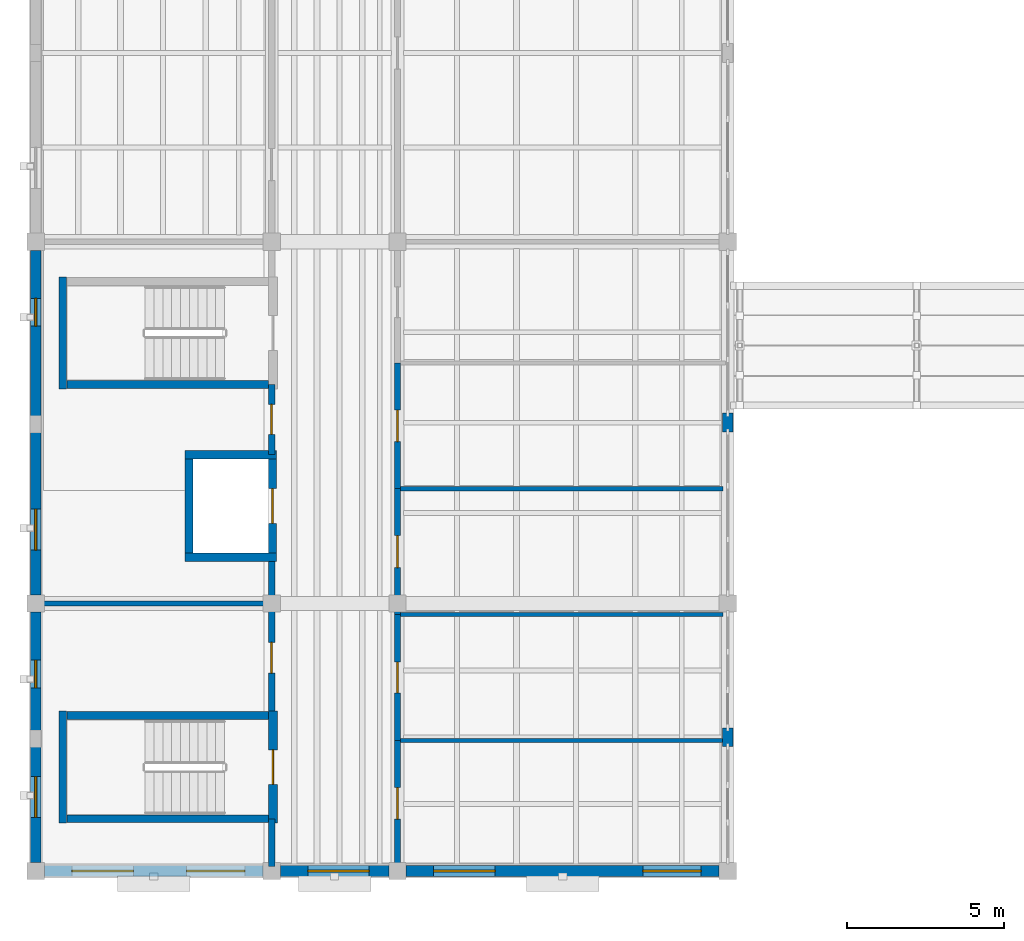
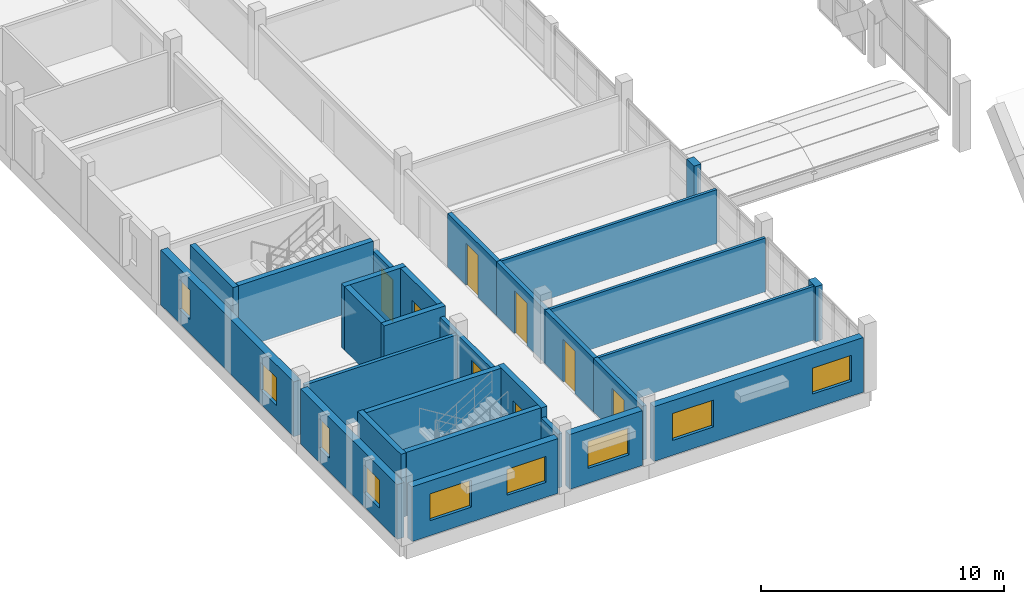
# One storey, part 34 of 48: 28 walls, 9 windows, 8 doors, 17 openings.
"""IFC4 building model written with IfcOpenShell, lengths in metres."""

from ifc_helpers import new_model, si_unit, direction, frame, frame_2d, origin, place, context, subcontext, project, spatial, rectangle, extrude, material, layer, layer_set, type_object, element, fill, save


model = new_model("IFC4")

# Units and contexts
model_context = context("Model", 3, precision=1e-05, world=origin(), true_north=direction((0.0, 1.0)))
body_context = subcontext(model_context, "Body", "Model", "MODEL_VIEW")
ifc_project = project(units=[si_unit("LENGTHUNIT", "METRE"), si_unit("AREAUNIT", "SQUARE_METRE"), si_unit("VOLUMEUNIT", "CUBIC_METRE"), si_unit("PLANEANGLEUNIT", "RADIAN"), si_unit("MASSUNIT", "GRAM", prefix="KILO")], contexts=[model_context])

# Site, building, storey
site_placement = place(None, origin())
site = spatial("IfcSite", under=ifc_project, at=site_placement, CompositionType="ELEMENT")
building_placement = place(site_placement, origin())
building = spatial("IfcBuilding", under=site, at=building_placement, Name="Trellovar Central Fire Station", CompositionType="ELEMENT")
storey_placement = place(building_placement, frame((0.0, 0.0, 9.300048828125)))
storey = spatial("IfcBuildingStorey", under=building, at=storey_placement, Name="L03", CompositionType="ELEMENT", Elevation=9.300048828125)

# Wall, openings, windows
ifc_material_1 = material(Name="Textured desert sandstone masonry", Category="masonry")
ifc_layer_1 = layer(ifc_material_1, 0.340087890625)
ifc_layer_set_1 = layer_set([ifc_layer_1], Name="Textured desert sandstone masonry")
wall_type_1 = type_object("IfcWallType", Name="EW-3", PredefinedType="STANDARD", material=ifc_layer_set_1)
wall_1_placement = place(storey_placement, frame((1.27490234375, 9.0, 0.0), z_axis=(0.0, 0.0, 1.0), x_axis=(1.0, 0.0, 0.0)))
wall_1 = element("IfcWall", 1, at=wall_1_placement, inside=storey, type_object=wall_type_1, Name="V4 L03 south wall 1", PredefinedType="STANDARD", context=body_context, shape_type="SweptSolid", body=[
    extrude(rectangle(XDim=6.9501953125, YDim=0.340087890625, at=frame_2d((3.47509765625, 0.0))), origin(), (0.0, 0.0, 1.0), 2.75),
])
opening_1_placement = place(wall_1_placement, frame((0.875, 0.0, 0.75)))
opening_1 = element("IfcOpeningElement", 2, at=opening_1_placement, cuts=wall_1, Name="Opening W-04", PredefinedType="OPENING", context=body_context, shape_type="SweptSolid", body=[
    extrude(rectangle(XDim=1.949951171875, YDim=1.35009765625, at=frame_2d((0.97509765625, 0.675048828125))), frame((0.0, 0.179931640625, 0.0), z_axis=(0.0, -1.0, 0.0), x_axis=(1.0, 0.0, 0.0)), (0.0, 0.0, 1.0), 0.360107421875),
])
opening_2_placement = place(wall_1_placement, frame((4.52490234375, 0.0, 0.75)))
opening_2 = element("IfcOpeningElement", 3, at=opening_2_placement, cuts=wall_1, Name="Opening W-13", PredefinedType="OPENING", context=body_context, shape_type="SweptSolid", body=[
    extrude(rectangle(XDim=1.85009765625, YDim=1.300048828125, at=frame_2d((0.925048828125, 0.64990234375))), frame((0.0, 0.179931640625, 0.0), z_axis=(0.0, -1.0, 0.0), x_axis=(1.0, 0.0, 0.0)), (0.0, 0.0, 1.0), 0.360107421875),
])
ifc_material_2 = material(Name="Thermally broken bronze anodized aluminum", Category="aluminium")
window_type_1 = type_object("IfcWindowType", Name="WIN-04", PartitioningType="DOUBLE_PANEL_HORIZONTAL", PredefinedType="WINDOW", material=ifc_material_2)
window_1_placement = place(opening_1_placement, origin())
window_1 = element("IfcWindow", 4, at=window_1_placement, inside=storey, type_object=window_type_1, Name="L03 window W-04", OverallHeight=1.35009765625, OverallWidth=1.949951171875, PartitioningType="DOUBLE_PANEL_HORIZONTAL", PredefinedType="WINDOW", context=body_context, shape_type="SweptSolid", body=[
    extrude(rectangle(XDim=1.949951171875, YDim=1.35009765625, at=frame_2d((0.97509765625, 0.675048828125))), frame((0.0, 0.030029296875, 0.0), z_axis=(0.0, -1.0, 0.0), x_axis=(1.0, 0.0, 0.0)), (0.0, 0.0, 1.0), 0.06005859375),
])
fill(opening_1, window_1)
ifc_material_3 = material(Name="Thermally broken bronze anodized aluminum", Category="aluminium")
window_type_2 = type_object("IfcWindowType", Name="WIN-13", PartitioningType="DOUBLE_PANEL_HORIZONTAL", PredefinedType="WINDOW", material=ifc_material_3)
window_2_placement = place(opening_2_placement, origin())
window_2 = element("IfcWindow", 5, at=window_2_placement, inside=storey, type_object=window_type_2, Name="L03 window W-13", OverallHeight=1.300048828125, OverallWidth=1.85009765625, PartitioningType="DOUBLE_PANEL_HORIZONTAL", PredefinedType="WINDOW", context=body_context, shape_type="SweptSolid", body=[
    extrude(rectangle(XDim=1.85009765625, YDim=1.300048828125, at=frame_2d((0.925048828125, 0.64990234375))), frame((0.0, 0.030029296875, 0.0), z_axis=(0.0, -1.0, 0.0), x_axis=(1.0, 0.0, 0.0)), (0.0, 0.0, 1.0), 0.06005859375),
])
fill(opening_2, window_2)

# Wall, opening, window
wall_2_placement = place(storey_placement, frame((8.77490234375, 9.0, 0.0), z_axis=(0.0, 0.0, 1.0), x_axis=(1.0, 0.0, 0.0)))
wall_2 = element("IfcWall", 6, at=wall_2_placement, inside=storey, type_object=wall_type_1, Name="V4 L03 south wall 2", PredefinedType="STANDARD", context=body_context, shape_type="SweptSolid", body=[
    extrude(rectangle(XDim=3.4501953125, YDim=0.340087890625, at=frame_2d((1.72509765625, 0.0))), origin(), (0.0, 0.0, 1.0), 2.75),
])
opening_3_placement = place(wall_2_placement, frame((0.875, 0.0, 0.75)))
opening_3 = element("IfcOpeningElement", 7, at=opening_3_placement, cuts=wall_2, Name="Opening W-04", PredefinedType="OPENING", context=body_context, shape_type="SweptSolid", body=[
    extrude(rectangle(XDim=1.949951171875, YDim=1.35009765625, at=frame_2d((0.97509765625, 0.675048828125))), frame((0.0, 0.179931640625, 0.0), z_axis=(0.0, -1.0, 0.0), x_axis=(1.0, 0.0, 0.0)), (0.0, 0.0, 1.0), 0.360107421875),
])
window_3_placement = place(opening_3_placement, origin())
window_3 = element("IfcWindow", 8, at=window_3_placement, inside=storey, type_object=window_type_1, Name="L03 window W-04", OverallHeight=1.35009765625, OverallWidth=1.949951171875, PartitioningType="DOUBLE_PANEL_HORIZONTAL", PredefinedType="WINDOW", context=body_context, shape_type="SweptSolid", body=[
    extrude(rectangle(XDim=1.949951171875, YDim=1.35009765625, at=frame_2d((0.97509765625, 0.675048828125))), frame((0.0, 0.030029296875, 0.0), z_axis=(0.0, -1.0, 0.0), x_axis=(1.0, 0.0, 0.0)), (0.0, 0.0, 1.0), 0.06005859375),
])
fill(opening_3, window_3)

# Wall, openings, windows
wall_3_placement = place(storey_placement, frame((12.77490234375, 9.0, 0.0), z_axis=(0.0, 0.0, 1.0), x_axis=(1.0, 0.0, 0.0)))
wall_3 = element("IfcWall", 9, at=wall_3_placement, inside=storey, type_object=wall_type_1, Name="V4 L03 south wall 3", PredefinedType="STANDARD", context=body_context, shape_type="SweptSolid", body=[
    extrude(rectangle(XDim=9.9501953125, YDim=0.340087890625, at=frame_2d((4.97509765625, 0.0))), origin(), (0.0, 0.0, 1.0), 2.75),
])
opening_4_placement = place(wall_3_placement, frame((0.875, 0.0, 0.75)))
opening_4 = element("IfcOpeningElement", 10, at=opening_4_placement, cuts=wall_3, Name="Opening W-04", PredefinedType="OPENING", context=body_context, shape_type="SweptSolid", body=[
    extrude(rectangle(XDim=1.949951171875, YDim=1.35009765625, at=frame_2d((0.97509765625, 0.675048828125))), frame((0.0, 0.179931640625, 0.0), z_axis=(0.0, -1.0, 0.0), x_axis=(1.0, 0.0, 0.0)), (0.0, 0.0, 1.0), 0.360107421875),
])
opening_5_placement = place(wall_3_placement, frame((7.52490234375, 0.0, 0.75)))
opening_5 = element("IfcOpeningElement", 11, at=opening_5_placement, cuts=wall_3, Name="Opening W-13", PredefinedType="OPENING", context=body_context, shape_type="SweptSolid", body=[
    extrude(rectangle(XDim=1.85009765625, YDim=1.300048828125, at=frame_2d((0.925048828125, 0.64990234375))), frame((0.0, 0.179931640625, 0.0), z_axis=(0.0, -1.0, 0.0), x_axis=(1.0, 0.0, 0.0)), (0.0, 0.0, 1.0), 0.360107421875),
])
window_4_placement = place(opening_4_placement, origin())
window_4 = element("IfcWindow", 12, at=window_4_placement, inside=storey, type_object=window_type_1, Name="L03 window W-04", OverallHeight=1.35009765625, OverallWidth=1.949951171875, PartitioningType="DOUBLE_PANEL_HORIZONTAL", PredefinedType="WINDOW", context=body_context, shape_type="SweptSolid", body=[
    extrude(rectangle(XDim=1.949951171875, YDim=1.35009765625, at=frame_2d((0.97509765625, 0.675048828125))), frame((0.0, 0.030029296875, 0.0), z_axis=(0.0, -1.0, 0.0), x_axis=(1.0, 0.0, 0.0)), (0.0, 0.0, 1.0), 0.06005859375),
])
fill(opening_4, window_4)
window_5_placement = place(opening_5_placement, origin())
window_5 = element("IfcWindow", 13, at=window_5_placement, inside=storey, type_object=window_type_2, Name="L03 window W-13", OverallHeight=1.300048828125, OverallWidth=1.85009765625, PartitioningType="DOUBLE_PANEL_HORIZONTAL", PredefinedType="WINDOW", context=body_context, shape_type="SweptSolid", body=[
    extrude(rectangle(XDim=1.85009765625, YDim=1.300048828125, at=frame_2d((0.925048828125, 0.64990234375))), frame((0.0, 0.030029296875, 0.0), z_axis=(0.0, -1.0, 0.0), x_axis=(1.0, 0.0, 0.0)), (0.0, 0.0, 1.0), 0.06005859375),
])
fill(opening_5, window_5)

wall_4_placement = place(storey_placement, frame((1.0, 17.22509765625, 0.0), z_axis=(0.0, 0.0, 1.0), x_axis=(0.0, -1.0, 0.0)))
wall_4 = element("IfcWall", 14, at=wall_4_placement, inside=storey, type_object=wall_type_1, Name="V4 L03 west wall", PredefinedType="STANDARD", context=body_context, shape_type="SweptSolid", body=[
    extrude(rectangle(XDim=7.9501953125, YDim=0.340087890625, at=frame_2d((3.97509765625, 0.0))), origin(), (0.0, 0.0, 1.0), 2.75),
])
opening_6_placement = place(wall_4_placement, frame((1.52490234375, 0.0, 0.699951171875)))
opening_6 = element("IfcOpeningElement", 15, at=opening_6_placement, cuts=wall_4, Name="Opening W-07", PredefinedType="OPENING", context=body_context, shape_type="SweptSolid", body=[
    extrude(rectangle(XDim=0.8798828125, YDim=1.5, at=frame_2d((0.43994140625, 0.75))), frame((0.0, 0.179931640625, 0.0), z_axis=(0.0, -1.0, 0.0), x_axis=(1.0, 0.0, 0.0)), (0.0, 0.0, 1.0), 0.360107421875),
])
opening_7_placement = place(wall_4_placement, frame((5.22509765625, 0.0, 0.699951171875)))
opening_7 = element("IfcOpeningElement", 16, at=opening_7_placement, cuts=wall_4, Name="Opening W-09", PredefinedType="OPENING", context=body_context, shape_type="SweptSolid", body=[
    extrude(rectangle(XDim=1.300048828125, YDim=1.39990234375, at=frame_2d((0.64990234375, 0.699951171875))), frame((0.0, 0.179931640625, 0.0), z_axis=(0.0, -1.0, 0.0), x_axis=(1.0, 0.0, 0.0)), (0.0, 0.0, 1.0), 0.360107421875),
])
ifc_material_4 = material(Name="Thermally broken bronze anodized aluminum", Category="aluminium")
window_type_3 = type_object("IfcWindowType", Name="WIN-07", PartitioningType="SINGLE_PANEL", PredefinedType="WINDOW", material=ifc_material_4)
window_6_placement = place(opening_6_placement, origin())
window_6 = element("IfcWindow", 17, at=window_6_placement, inside=storey, type_object=window_type_3, Name="L03 window W-07", OverallHeight=1.5, OverallWidth=0.8798828125, PartitioningType="SINGLE_PANEL", PredefinedType="WINDOW", context=body_context, shape_type="SweptSolid", body=[
    extrude(rectangle(XDim=0.8798828125, YDim=1.5, at=frame_2d((0.43994140625, 0.75))), frame((0.0, 0.030029296875, 0.0), z_axis=(0.0, -1.0, 0.0), x_axis=(1.0, 0.0, 0.0)), (0.0, 0.0, 1.0), 0.06005859375),
])
fill(opening_6, window_6)
ifc_material_5 = material(Name="Thermally broken bronze anodized aluminum", Category="aluminium")
window_type_4 = type_object("IfcWindowType", Name="WIN-09", PartitioningType="SINGLE_PANEL", PredefinedType="WINDOW", material=ifc_material_5)
window_7_placement = place(opening_7_placement, origin())
window_7 = element("IfcWindow", 18, at=window_7_placement, inside=storey, type_object=window_type_4, Name="L03 window W-09", OverallHeight=1.39990234375, OverallWidth=1.300048828125, PartitioningType="SINGLE_PANEL", PredefinedType="WINDOW", context=body_context, shape_type="SweptSolid", body=[
    extrude(rectangle(XDim=1.300048828125, YDim=1.39990234375, at=frame_2d((0.64990234375, 0.699951171875))), frame((0.0, 0.030029296875, 0.0), z_axis=(0.0, -1.0, 0.0), x_axis=(1.0, 0.0, 0.0)), (0.0, 0.0, 1.0), 0.06005859375),
])
fill(opening_7, window_7)

wall_5_placement = place(storey_placement, frame((1.0, 28.72509765625, 0.0), z_axis=(0.0, 0.0, 1.0), x_axis=(0.0, -1.0, 0.0)))
wall_5 = element("IfcWall", 19, at=wall_5_placement, inside=storey, type_object=wall_type_1, Name="V4 L03 west wall", PredefinedType="STANDARD", context=body_context, shape_type="SweptSolid", body=[
    extrude(rectangle(XDim=10.9501953125, YDim=0.340087890625, at=frame_2d((5.47509765625, 0.0))), origin(), (0.0, 0.0, 1.0), 2.75),
])
opening_8_placement = place(wall_5_placement, frame((1.52490234375, 0.0, 0.699951171875)))
opening_8 = element("IfcOpeningElement", 20, at=opening_8_placement, cuts=wall_5, Name="Opening W-07", PredefinedType="OPENING", context=body_context, shape_type="SweptSolid", body=[
    extrude(rectangle(XDim=0.8798828125, YDim=1.5, at=frame_2d((0.43994140625, 0.75))), frame((0.0, 0.179931640625, 0.0), z_axis=(0.0, -1.0, 0.0), x_axis=(1.0, 0.0, 0.0)), (0.0, 0.0, 1.0), 0.360107421875),
])
opening_9_placement = place(wall_5_placement, frame((8.22509765625, 0.0, 0.699951171875)))
opening_9 = element("IfcOpeningElement", 21, at=opening_9_placement, cuts=wall_5, Name="Opening W-09", PredefinedType="OPENING", context=body_context, shape_type="SweptSolid", body=[
    extrude(rectangle(XDim=1.300048828125, YDim=1.39990234375, at=frame_2d((0.64990234375, 0.699951171875))), frame((0.0, 0.179931640625, 0.0), z_axis=(0.0, -1.0, 0.0), x_axis=(1.0, 0.0, 0.0)), (0.0, 0.0, 1.0), 0.360107421875),
])
window_8_placement = place(opening_8_placement, origin())
window_8 = element("IfcWindow", 22, at=window_8_placement, inside=storey, type_object=window_type_3, Name="L03 window W-07", OverallHeight=1.5, OverallWidth=0.8798828125, PartitioningType="SINGLE_PANEL", PredefinedType="WINDOW", context=body_context, shape_type="SweptSolid", body=[
    extrude(rectangle(XDim=0.8798828125, YDim=1.5, at=frame_2d((0.43994140625, 0.75))), frame((0.0, 0.030029296875, 0.0), z_axis=(0.0, -1.0, 0.0), x_axis=(1.0, 0.0, 0.0)), (0.0, 0.0, 1.0), 0.06005859375),
])
fill(opening_8, window_8)
window_9_placement = place(opening_9_placement, origin())
window_9 = element("IfcWindow", 23, at=window_9_placement, inside=storey, type_object=window_type_4, Name="L03 window W-09", OverallHeight=1.39990234375, OverallWidth=1.300048828125, PartitioningType="SINGLE_PANEL", PredefinedType="WINDOW", context=body_context, shape_type="SweptSolid", body=[
    extrude(rectangle(XDim=1.300048828125, YDim=1.39990234375, at=frame_2d((0.64990234375, 0.699951171875))), frame((0.0, 0.030029296875, 0.0), z_axis=(0.0, -1.0, 0.0), x_axis=(1.0, 0.0, 0.0)), (0.0, 0.0, 1.0), 0.06005859375),
])
fill(opening_9, window_9)

# Walls
for number, where, z_axis, x_axis, name in (
    (24, (23.0, 12.949951171875, 0.0), (0.0, 0.0, 1.0), (0.0, 1.0, 0.0), "V4 L03 courtyard mullion pier"),
    (25, (23.0, 22.949951171875, 0.0), (0.0, 0.0, 1.0), (0.0, 1.0, 0.0), "V4 L03 courtyard mullion pier"),
):
    element("IfcWall", number, at=place(storey_placement, frame(where, z_axis=z_axis, x_axis=x_axis)), inside=storey, type_object=wall_type_1, Name=name, PredefinedType="STANDARD", context=body_context, shape_type="SweptSolid", body=[
        extrude(rectangle(XDim=0.60009765625, YDim=0.340087890625, at=frame_2d((0.300048828125, 0.0))), origin(), (0.0, 0.0, 1.0), 2.75),
    ])
ifc_material_6 = material(Name="Acoustic concrete masonry unit", Category="masonry")
ifc_layer_2 = layer(ifc_material_6, 0.199951171875)
ifc_layer_set_2 = layer_set([ifc_layer_2], Name="Acoustic concrete masonry unit")
wall_type_2 = type_object("IfcWallType", Name="PT-1", PredefinedType="PARTITIONING", material=ifc_layer_set_2)
wall_6_placement = place(storey_placement, frame((8.5, 9.14990234375, 0.0), z_axis=(0.0, 0.0, 1.0), x_axis=(0.0, 1.0, 0.0)))
element("IfcWall", 26, at=wall_6_placement, inside=storey, type_object=wall_type_2, Name="V4 L03 west corridor spine 1", PredefinedType="PARTITIONING", context=body_context, shape_type="SweptSolid", body=[
    extrude(rectangle(XDim=1.510009765625, YDim=0.199951171875, at=frame_2d((0.7548828125, 0.0))), origin(), (0.0, 0.0, 1.0), 2.699951171875),
])

# Wall, opening, door
wall_7_placement = place(storey_placement, frame((8.5, 13.93994140625, 0.0), z_axis=(0.0, 0.0, 1.0), x_axis=(0.0, 1.0, 0.0)))
wall_7 = element("IfcWall", 27, at=wall_7_placement, inside=storey, type_object=wall_type_2, Name="V4 L03 west corridor spine 2", PredefinedType="PARTITIONING", context=body_context, shape_type="SweptSolid", body=[
    extrude(rectangle(XDim=5.030029296875, YDim=0.199951171875, at=frame_2d((2.51513671875, 0.0))), origin(), (0.0, 0.0, 1.0), 2.699951171875),
])
opening_10_placement = place(wall_7_placement, frame((1.35009765625, 0.0, 0.0)))
opening_10 = element("IfcOpeningElement", 28, at=opening_10_placement, cuts=wall_7, Name="Opening ID-7", PredefinedType="OPENING", context=body_context, shape_type="SweptSolid", body=[
    extrude(rectangle(XDim=0.97998046875, YDim=2.1201171875, at=frame_2d((0.489990234375, 1.06005859375))), frame((0.0, 0.10986328125, 0.0), z_axis=(0.0, -1.0, 0.0), x_axis=(1.0, 0.0, 0.0)), (0.0, 0.0, 1.0), 0.219970703125),
])
ifc_material_7 = material(Name="Solid core acoustic white oak veneer", Category="wood")
door_type_1 = type_object("IfcDoorType", Name="DR-INT7", OperationType="SINGLE_SWING_LEFT", PredefinedType="DOOR", material=ifc_material_7)
door_1_placement = place(opening_10_placement, origin())
door_1 = element("IfcDoor", 29, at=door_1_placement, inside=storey, type_object=door_type_1, Name="V4 L03 SW room door", OperationType="SINGLE_SWING_RIGHT", OverallHeight=2.1201171875, OverallWidth=0.97998046875, PredefinedType="DOOR", context=body_context, shape_type="SweptSolid", body=[
    extrude(rectangle(XDim=0.97998046875, YDim=2.1201171875, at=frame_2d((0.489990234375, 1.06005859375))), frame((0.0, 0.02490234375, 0.0), z_axis=(0.0, -1.0, 0.0), x_axis=(1.0, 0.0, 0.0)), (0.0, 0.0, 1.0), 0.050048828125),
])
fill(opening_10, door_1)

wall_8_placement = place(storey_placement, frame((8.5, 22.22998046875, 0.0), z_axis=(0.0, 0.0, 1.0), x_axis=(0.0, 1.0, 0.0)))
wall_8 = element("IfcWall", 30, at=wall_8_placement, inside=storey, type_object=wall_type_2, Name="V4 L03 west corridor spine 3", PredefinedType="PARTITIONING", context=body_context, shape_type="SweptSolid", body=[
    extrude(rectangle(XDim=2.22998046875, YDim=0.199951171875, at=frame_2d((1.114990234375, 0.0))), origin(), (0.0, 0.0, 1.0), 2.699951171875),
])
opening_11_placement = place(wall_8_placement, frame((0.64990234375, 0.0, 0.0)))
opening_11 = element("IfcOpeningElement", 31, at=opening_11_placement, cuts=wall_8, Name="Opening ID-2", PredefinedType="OPENING", context=body_context, shape_type="SweptSolid", body=[
    extrude(rectangle(XDim=0.949951171875, YDim=2.10009765625, at=frame_2d((0.47509765625, 1.050048828125))), frame((0.0, 0.10986328125, 0.0), z_axis=(0.0, -1.0, 0.0), x_axis=(1.0, 0.0, 0.0)), (0.0, 0.0, 1.0), 0.219970703125),
])
ifc_material_8 = material(Name="Solid core acoustic white oak veneer", Category="wood")
door_type_2 = type_object("IfcDoorType", Name="DR-INT2", OperationType="SINGLE_SWING_LEFT", PredefinedType="DOOR", material=ifc_material_8)
door_2_placement = place(opening_11_placement, origin())
door_2 = element("IfcDoor", 32, at=door_2_placement, inside=storey, type_object=door_type_2, Name="V4 L03 mid-west room door", OperationType="SINGLE_SWING_LEFT", OverallHeight=2.10009765625, OverallWidth=0.949951171875, PredefinedType="DOOR", context=body_context, shape_type="SweptSolid", body=[
    extrude(rectangle(XDim=0.949951171875, YDim=2.10009765625, at=frame_2d((0.47509765625, 1.050048828125))), frame((0.0, 0.02490234375, 0.0), z_axis=(0.0, -1.0, 0.0), x_axis=(1.0, 0.0, 0.0)), (0.0, 0.0, 1.0), 0.050048828125),
])
fill(opening_11, door_2)

wall_9_placement = place(storey_placement, frame((12.5, 9.14990234375, 0.0), z_axis=(0.0, 0.0, 1.0), x_axis=(0.0, 1.0, 0.0)))
wall_9 = element("IfcWall", 33, at=wall_9_placement, inside=storey, type_object=wall_type_2, Name="V4 L03 east corridor spine", PredefinedType="PARTITIONING", context=body_context, shape_type="SweptSolid", body=[
    extrude(rectangle(XDim=4.0, YDim=0.199951171875, at=frame_2d((2.0, 0.0))), origin(), (0.0, 0.0, 1.0), 2.699951171875),
])
opening_12_placement = place(wall_9_placement, frame((1.5, 0.0, 0.0)))
opening_12 = element("IfcOpeningElement", 34, at=opening_12_placement, cuts=wall_9, Name="Opening ID-1", PredefinedType="OPENING", context=body_context, shape_type="SweptSolid", body=[
    extrude(rectangle(XDim=1.0, YDim=2.1201171875, at=frame_2d((0.5, 1.06005859375))), frame((0.0, 0.10986328125, 0.0), z_axis=(0.0, -1.0, 0.0), x_axis=(1.0, 0.0, 0.0)), (0.0, 0.0, 1.0), 0.219970703125),
])
ifc_material_9 = material(Name="Solid core acoustic white oak veneer", Category="wood")
door_type_3 = type_object("IfcDoorType", Name="DR-INT1", OperationType="SINGLE_SWING_LEFT", PredefinedType="DOOR", material=ifc_material_9)
door_3_placement = place(opening_12_placement, origin())
door_3 = element("IfcDoor", 35, at=door_3_placement, inside=storey, type_object=door_type_3, Name="V4 L03 east room door", OperationType="SINGLE_SWING_LEFT", OverallHeight=2.1201171875, OverallWidth=1.0, PredefinedType="DOOR", context=body_context, shape_type="SweptSolid", body=[
    extrude(rectangle(XDim=1.0, YDim=2.1201171875, at=frame_2d((0.5, 1.06005859375))), frame((0.0, 0.02490234375, 0.0), z_axis=(0.0, -1.0, 0.0), x_axis=(1.0, 0.0, 0.0)), (0.0, 0.0, 1.0), 0.050048828125),
])
fill(opening_12, door_3)

wall_10_placement = place(storey_placement, frame((12.5, 13.14990234375, 0.0), z_axis=(0.0, 0.0, 1.0), x_axis=(0.0, 1.0, 0.0)))
wall_10 = element("IfcWall", 36, at=wall_10_placement, inside=storey, type_object=wall_type_2, Name="V4 L03 east corridor spine", PredefinedType="PARTITIONING", context=body_context, shape_type="SweptSolid", body=[
    extrude(rectangle(XDim=4.0, YDim=0.199951171875, at=frame_2d((2.0, 0.0))), origin(), (0.0, 0.0, 1.0), 2.699951171875),
])
opening_13_placement = place(wall_10_placement, frame((1.510009765625, 0.0, 0.0)))
opening_13 = element("IfcOpeningElement", 37, at=opening_13_placement, cuts=wall_10, Name="Opening ID-7", PredefinedType="OPENING", context=body_context, shape_type="SweptSolid", body=[
    extrude(rectangle(XDim=0.97998046875, YDim=2.1201171875, at=frame_2d((0.489990234375, 1.06005859375))), frame((0.0, 0.10986328125, 0.0), z_axis=(0.0, -1.0, 0.0), x_axis=(1.0, 0.0, 0.0)), (0.0, 0.0, 1.0), 0.219970703125),
])
door_4_placement = place(opening_13_placement, origin())
door_4 = element("IfcDoor", 38, at=door_4_placement, inside=storey, type_object=door_type_1, Name="V4 L03 east room door", OperationType="SINGLE_SWING_RIGHT", OverallHeight=2.1201171875, OverallWidth=0.97998046875, PredefinedType="DOOR", context=body_context, shape_type="SweptSolid", body=[
    extrude(rectangle(XDim=0.97998046875, YDim=2.1201171875, at=frame_2d((0.489990234375, 1.06005859375))), frame((0.0, 0.02490234375, 0.0), z_axis=(0.0, -1.0, 0.0), x_axis=(1.0, 0.0, 0.0)), (0.0, 0.0, 1.0), 0.050048828125),
])
fill(opening_13, door_4)

wall_11_placement = place(storey_placement, frame((12.5, 17.14990234375, 0.0), z_axis=(0.0, 0.0, 1.0), x_axis=(0.0, 1.0, 0.0)))
wall_11 = element("IfcWall", 39, at=wall_11_placement, inside=storey, type_object=wall_type_2, Name="V4 L03 east corridor spine", PredefinedType="PARTITIONING", context=body_context, shape_type="SweptSolid", body=[
    extrude(rectangle(XDim=4.0, YDim=0.199951171875, at=frame_2d((2.0, 0.0))), origin(), (0.0, 0.0, 1.0), 2.699951171875),
])
opening_14_placement = place(wall_11_placement, frame((1.489990234375, 0.0, 0.0)))
opening_14 = element("IfcOpeningElement", 40, at=opening_14_placement, cuts=wall_11, Name="Opening ID-8", PredefinedType="OPENING", context=body_context, shape_type="SweptSolid", body=[
    extrude(rectangle(XDim=1.02001953125, YDim=2.139892578125, at=frame_2d((0.510009765625, 1.06982421875))), frame((0.0, 0.10986328125, 0.0), z_axis=(0.0, -1.0, 0.0), x_axis=(1.0, 0.0, 0.0)), (0.0, 0.0, 1.0), 0.219970703125),
])
ifc_material_10 = material(Name="Solid core acoustic white oak veneer", Category="wood")
door_type_4 = type_object("IfcDoorType", Name="DR-INT8", OperationType="SINGLE_SWING_LEFT", PredefinedType="DOOR", material=ifc_material_10)
door_5_placement = place(opening_14_placement, origin())
door_5 = element("IfcDoor", 41, at=door_5_placement, inside=storey, type_object=door_type_4, Name="V4 L03 east room door", OperationType="SINGLE_SWING_LEFT", OverallHeight=2.139892578125, OverallWidth=1.02001953125, PredefinedType="DOOR", context=body_context, shape_type="SweptSolid", body=[
    extrude(rectangle(XDim=1.02001953125, YDim=2.139892578125, at=frame_2d((0.510009765625, 1.06982421875))), frame((0.0, 0.02490234375, 0.0), z_axis=(0.0, -1.0, 0.0), x_axis=(1.0, 0.0, 0.0)), (0.0, 0.0, 1.0), 0.050048828125),
])
fill(opening_14, door_5)

wall_12_placement = place(storey_placement, frame((12.5, 21.14990234375, 0.0), z_axis=(0.0, 0.0, 1.0), x_axis=(0.0, 1.0, 0.0)))
wall_12 = element("IfcWall", 42, at=wall_12_placement, inside=storey, type_object=wall_type_2, Name="V4 L03 east corridor spine", PredefinedType="PARTITIONING", context=body_context, shape_type="SweptSolid", body=[
    extrude(rectangle(XDim=4.0, YDim=0.199951171875, at=frame_2d((2.0, 0.0))), origin(), (0.0, 0.0, 1.0), 2.699951171875),
])
opening_15_placement = place(wall_12_placement, frame((1.5, 0.0, 0.0)))
opening_15 = element("IfcOpeningElement", 43, at=opening_15_placement, cuts=wall_12, Name="Opening ID-1", PredefinedType="OPENING", context=body_context, shape_type="SweptSolid", body=[
    extrude(rectangle(XDim=1.0, YDim=2.1201171875, at=frame_2d((0.5, 1.06005859375))), frame((0.0, 0.10986328125, 0.0), z_axis=(0.0, -1.0, 0.0), x_axis=(1.0, 0.0, 0.0)), (0.0, 0.0, 1.0), 0.219970703125),
])
door_6_placement = place(opening_15_placement, origin())
door_6 = element("IfcDoor", 44, at=door_6_placement, inside=storey, type_object=door_type_3, Name="V4 L03 east room door", OperationType="SINGLE_SWING_RIGHT", OverallHeight=2.1201171875, OverallWidth=1.0, PredefinedType="DOOR", context=body_context, shape_type="SweptSolid", body=[
    extrude(rectangle(XDim=1.0, YDim=2.1201171875, at=frame_2d((0.5, 1.06005859375))), frame((0.0, 0.02490234375, 0.0), z_axis=(0.0, -1.0, 0.0), x_axis=(1.0, 0.0, 0.0)), (0.0, 0.0, 1.0), 0.050048828125),
])
fill(opening_15, door_6)

# Walls
ifc_material_11 = material(Name="Acoustic concrete masonry unit", Category="masonry")
ifc_layer_3 = layer(ifc_material_11, 0.159912109375)
ifc_layer_set_3 = layer_set([ifc_layer_3], Name="Acoustic concrete masonry unit")
wall_type_3 = type_object("IfcWallType", Name="PT-2", PredefinedType="PARTITIONING", material=ifc_layer_set_3)
wall_13_placement = place(storey_placement, frame((1.14990234375, 17.5, 0.0), z_axis=(0.0, 0.0, 1.0), x_axis=(1.0, 0.0, 0.0)))
element("IfcWall", 45, at=wall_13_placement, inside=storey, type_object=wall_type_3, Name="V4 L03 west divider Y=17.5", PredefinedType="PARTITIONING", context=body_context, shape_type="SweptSolid", body=[
    extrude(rectangle(XDim=7.35009765625, YDim=0.159912109375, at=frame_2d((3.675048828125, 0.0))), origin(), (0.0, 0.0, 1.0), 2.699951171875),
])
ifc_material_12 = material(Name="Fire-rated acoustic gypsum stud partition", Category="gypsum")
ifc_layer_4 = layer(ifc_material_12, 0.135009765625)
ifc_layer_set_4 = layer_set([ifc_layer_4], Name="Fire-rated acoustic gypsum stud partition")
wall_type_4 = type_object("IfcWallType", Name="PT-7", PredefinedType="PARTITIONING", material=ifc_layer_set_4)
for number, where, z_axis, x_axis, name in (
    (46, (12.5, 13.14990234375, 0.0), (0.0, 0.0, 1.0), (1.0, 0.0, 0.0), "V4 L03 east room divider Y=13.15"),
    (47, (12.5, 17.14990234375, 0.0), (0.0, 0.0, 1.0), (1.0, 0.0, 0.0), "V4 L03 east room divider Y=17.15"),
    (48, (12.5, 21.14990234375, 0.0), (0.0, 0.0, 1.0), (1.0, 0.0, 0.0), "V4 L03 east room divider Y=21.15"),
):
    element("IfcWall", number, at=place(storey_placement, frame(where, z_axis=z_axis, x_axis=x_axis)), inside=storey, type_object=wall_type_4, Name=name, PredefinedType="PARTITIONING", context=body_context, shape_type="SweptSolid", body=[
        extrude(rectangle(XDim=10.340087890625, YDim=0.135009765625, at=frame_2d((5.169921875, 0.0))), origin(), (0.0, 0.0, 1.0), 2.699951171875),
    ])

# Wall, opening, door
ifc_material_13 = material(Name="Concrete C40/50", Category="concrete")
ifc_layer_5 = layer(ifc_material_13, 0.280029296875)
ifc_layer_set_5 = layer_set([ifc_layer_5], Name="Concrete C40/50")
wall_type_5 = type_object("IfcWallType", Name="SW-1", PredefinedType="SHEAR", material=ifc_layer_set_5)
wall_14_placement = place(storey_placement, frame((8.5400390625, 14.080078125, 0.0), z_axis=(0.0, 0.0, 1.0), x_axis=(0.0, -1.0, 0.0)))
wall_14 = element("IfcWall", 49, at=wall_14_placement, inside=storey, type_object=wall_type_5, Name="Stair ST-03 L03 front corridor wall", PredefinedType="SHEAR", context=body_context, shape_type="SweptSolid", body=[
    extrude(rectangle(XDim=3.56005859375, YDim=0.280029296875, at=frame_2d((1.780029296875, 0.0))), origin(), (0.0, 0.0, 1.0), 3.199951171875),
])
opening_16_placement = place(wall_14_placement, frame((1.22998046875, 0.0, 0.0)))
opening_16 = element("IfcOpeningElement", 50, at=opening_16_placement, cuts=wall_14, Name="Opening SD-2", PredefinedType="OPENING", context=body_context, shape_type="SweptSolid", body=[
    extrude(rectangle(XDim=1.10009765625, YDim=2.14990234375, at=frame_2d((0.550048828125, 1.074951171875))), frame((0.0, 0.14990234375, 0.0), z_axis=(0.0, -1.0, 0.0), x_axis=(1.0, 0.0, 0.0)), (0.0, 0.0, 1.0), 0.300048828125),
])
ifc_material_14 = material(Name="Hollow galvanized steel with acoustic core", Category="steel")
door_type_5 = type_object("IfcDoorType", Name="DR-STR2", OperationType="SINGLE_SWING_LEFT", PredefinedType="DOOR", material=ifc_material_14)
door_7_placement = place(opening_16_placement, origin())
door_7 = element("IfcDoor", 51, at=door_7_placement, inside=storey, type_object=door_type_5, Name="Stair ST-03 L03 fire door", OperationType="SINGLE_SWING_LEFT", OverallHeight=2.14990234375, OverallWidth=1.10009765625, PredefinedType="DOOR", context=body_context, shape_type="SweptSolid", body=[
    extrude(rectangle(XDim=1.10009765625, YDim=2.14990234375, at=frame_2d((0.550048828125, 1.074951171875))), frame((0.0, 0.02490234375, 0.0), z_axis=(0.0, -1.0, 0.0), x_axis=(1.0, 0.0, 0.0)), (0.0, 0.0, 1.0), 0.050048828125),
])
fill(opening_16, door_7)

# Walls
ifc_material_15 = material(Name="Concrete C40/50", Category="concrete")
ifc_layer_6 = layer(ifc_material_15, 0.25)
ifc_layer_set_6 = layer_set([ifc_layer_6], Name="Concrete C40/50")
wall_type_6 = type_object("IfcWallType", Name="SW-2", PredefinedType="SHEAR", material=ifc_layer_set_6)
wall_15_placement = place(storey_placement, frame((1.860107421875, 10.52001953125, 0.0), z_axis=(0.0, 0.0, 1.0), x_axis=(0.0, 1.0, 0.0)))
element("IfcWall", 52, at=wall_15_placement, inside=storey, type_object=wall_type_6, Name="Stair ST-03 L03 rear wall", PredefinedType="SHEAR", context=body_context, shape_type="SweptSolid", body=[
    extrude(rectangle(XDim=3.56005859375, YDim=0.25, at=frame_2d((1.780029296875, 0.0))), origin(), (0.0, 0.0, 1.0), 3.199951171875),
])
for number, where, z_axis, x_axis, name in (
    (53, (8.39990234375, 13.93994140625, 0.0), (0.0, 0.0, 1.0), (-1.0, 0.0, 0.0), "Stair ST-03 L03 left wall"),
    (54, (2.0, 10.659912109375, 0.0), (0.0, 0.0, 1.0), (1.0, 0.0, 0.0), "Stair ST-03 L03 right wall"),
):
    element("IfcWall", number, at=place(storey_placement, frame(where, z_axis=z_axis, x_axis=x_axis)), inside=storey, type_object=wall_type_6, Name=name, PredefinedType="SHEAR", context=body_context, shape_type="SweptSolid", body=[
        extrude(rectangle(XDim=6.39990234375, YDim=0.25, at=frame_2d((3.199951171875, 0.0))), origin(), (0.0, 0.0, 1.0), 3.199951171875),
    ])
wall_16_placement = place(storey_placement, frame((1.860107421875, 24.320068359375, 0.0), z_axis=(0.0, 0.0, 1.0), x_axis=(0.0, 1.0, 0.0)))
element("IfcWall", 55, at=wall_16_placement, inside=storey, type_object=wall_type_6, Name="Stair ST-04 L03 rear wall", PredefinedType="SHEAR", context=body_context, shape_type="SweptSolid", body=[
    extrude(rectangle(XDim=3.559814453125, YDim=0.25, at=frame_2d((1.77978515625, 0.0))), origin(), (0.0, 0.0, 1.0), 3.199951171875),
])
wall_17_placement = place(storey_placement, frame((2.0, 24.4599609375, 0.0), z_axis=(0.0, 0.0, 1.0), x_axis=(1.0, 0.0, 0.0)))
element("IfcWall", 56, at=wall_17_placement, inside=storey, type_object=wall_type_6, Name="Stair ST-04 L03 right wall", PredefinedType="SHEAR", context=body_context, shape_type="SweptSolid", body=[
    extrude(rectangle(XDim=6.39990234375, YDim=0.25, at=frame_2d((3.199951171875, 0.0))), origin(), (0.0, 0.0, 1.0), 3.199951171875),
])
ifc_material_16 = material(Name="Concrete C40/50", Category="concrete")
ifc_layer_7 = layer(ifc_material_16, 0.260009765625)
ifc_layer_set_7 = layer_set([ifc_layer_7], Name="Concrete C40/50")
wall_type_7 = type_object("IfcWallType", Name="SW-4", PredefinedType="SHEAR", material=ifc_layer_set_7)
for number, where, z_axis, x_axis, name in (
    (57, (5.739990234375, 18.969970703125, 0.0), (0.0, 0.0, 1.0), (1.0, 0.0, 0.0), "Lift EL-03 L03 S wall"),
    (58, (8.659912109375, 22.22998046875, 0.0), (0.0, 0.0, 1.0), (-1.0, 0.0, 0.0), "Lift EL-03 L03 N wall"),
):
    element("IfcWall", number, at=place(storey_placement, frame(where, z_axis=z_axis, x_axis=x_axis)), inside=storey, type_object=wall_type_7, Name=name, PredefinedType="SHEAR", context=body_context, shape_type="SweptSolid", body=[
        extrude(rectangle(XDim=2.919921875, YDim=0.260009765625, at=frame_2d((1.4599609375, 0.0))), origin(), (0.0, 0.0, 1.0), 3.199951171875),
    ])
wall_18_placement = place(storey_placement, frame((5.8701171875, 22.10009765625, 0.0), z_axis=(0.0, 0.0, 1.0), x_axis=(0.0, -1.0, 0.0)))
element("IfcWall", 59, at=wall_18_placement, inside=storey, type_object=wall_type_7, Name="Lift EL-03 L03 W wall", PredefinedType="SHEAR", context=body_context, shape_type="SweptSolid", body=[
    extrude(rectangle(XDim=3.0, YDim=0.260009765625, at=frame_2d((1.5, 0.0))), origin(), (0.0, 0.0, 1.0), 3.199951171875),
])

# Wall, opening, door
wall_19_placement = place(storey_placement, frame((8.530029296875, 19.10009765625, 0.0), z_axis=(0.0, 0.0, 1.0), x_axis=(0.0, 1.0, 0.0)))
wall_19 = element("IfcWall", 60, at=wall_19_placement, inside=storey, type_object=wall_type_7, Name="Lift EL-03 L03 E wall", PredefinedType="SHEAR", context=body_context, shape_type="SweptSolid", body=[
    extrude(rectangle(XDim=3.0, YDim=0.260009765625, at=frame_2d((1.5, 0.0))), origin(), (0.0, 0.0, 1.0), 3.199951171875),
])
opening_17_placement = place(wall_19_placement, frame((0.949951171875, 0.0, 0.0)))
opening_17 = element("IfcOpeningElement", 61, at=opening_17_placement, cuts=wall_19, Name="Opening LD-1", PredefinedType="OPENING", context=body_context, shape_type="SweptSolid", body=[
    extrude(rectangle(XDim=1.10009765625, YDim=2.14990234375, at=frame_2d((0.550048828125, 1.074951171875))), frame((0.0, 0.139892578125, 0.0), z_axis=(0.0, -1.0, 0.0), x_axis=(1.0, 0.0, 0.0)), (0.0, 0.0, 1.0), 0.280029296875),
])
ifc_material_17 = material(Name="Brushed stainless steel", Category="steel")
door_type_6 = type_object("IfcDoorType", Name="DR-LFT1", OperationType="SLIDING_TO_LEFT", PredefinedType="DOOR", material=ifc_material_17)
door_8_placement = place(opening_17_placement, origin())
door_8 = element("IfcDoor", 62, at=door_8_placement, inside=storey, type_object=door_type_6, Name="Elevator EL-03 L03 sliding landing door", OperationType="SLIDING_TO_LEFT", OverallHeight=2.14990234375, OverallWidth=1.10009765625, PredefinedType="DOOR", context=body_context, shape_type="SweptSolid", body=[
    extrude(rectangle(XDim=1.10009765625, YDim=2.14990234375, at=frame_2d((0.550048828125, 1.074951171875))), frame((0.0, 0.02490234375, 0.0), z_axis=(0.0, -1.0, 0.0), x_axis=(1.0, 0.0, 0.0)), (0.0, 0.0, 1.0), 0.050048828125),
])
fill(opening_17, door_8)

save(model, "model.ifc")
